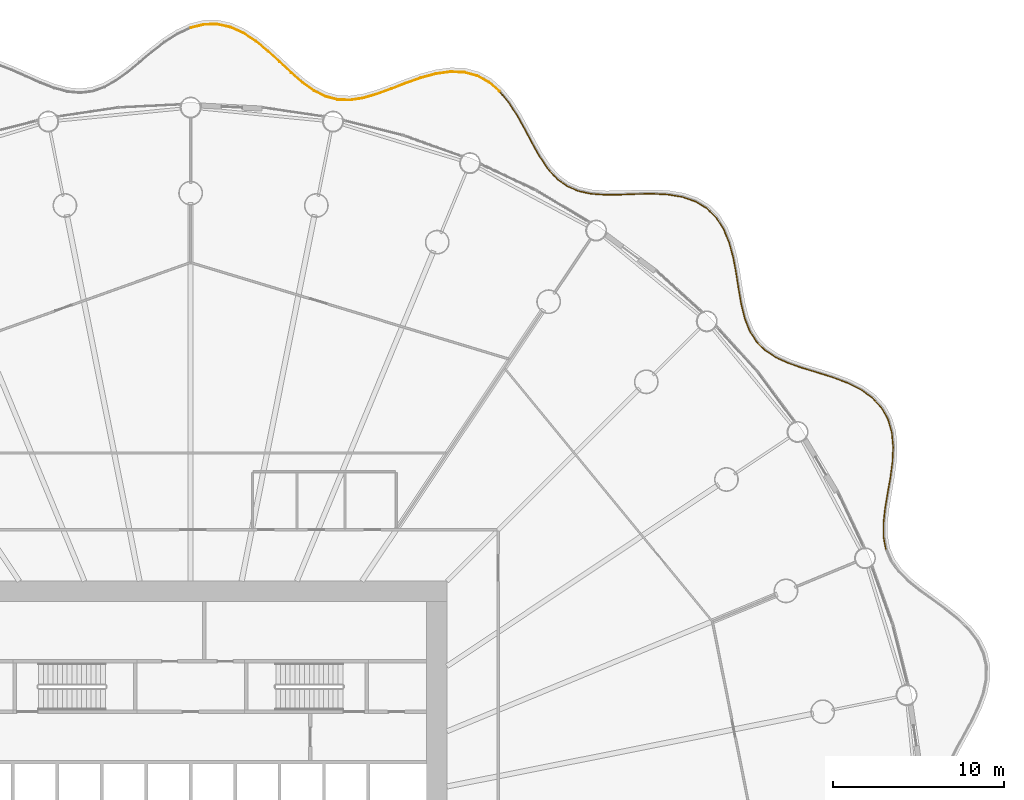
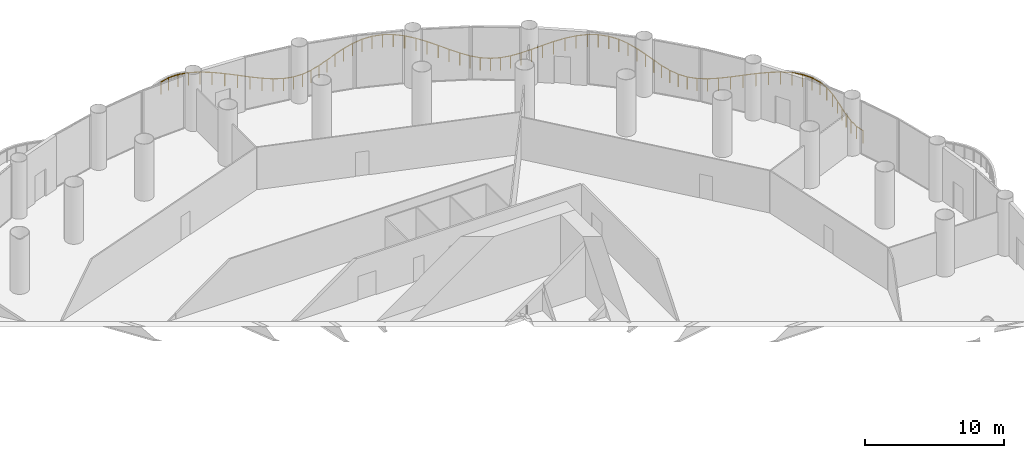
# One storey, part 36 of 36: 3 railings.
"""IFC4 building model written with IfcOpenShell, lengths in metres."""

from ifc_helpers import new_model, si_unit, direction, frame, origin, origin_2d, place, context, subcontext, project, spatial, circle, extrude, material, type_object, element, save


model = new_model("IFC4")

# Units and contexts
model_context = context("Model", 3, precision=1e-05, world=origin(), true_north=direction((0.0, 1.0)))
body_context = subcontext(model_context, "Body", "Model", "MODEL_VIEW")
ifc_project = project(units=[si_unit("LENGTHUNIT", "METRE"), si_unit("AREAUNIT", "SQUARE_METRE"), si_unit("VOLUMEUNIT", "CUBIC_METRE"), si_unit("PLANEANGLEUNIT", "RADIAN"), si_unit("MASSUNIT", "GRAM", prefix="KILO")], contexts=[model_context])

# Site, building, storey
site_placement = place(None, origin())
site = spatial("IfcSite", under=ifc_project, at=site_placement, CompositionType="ELEMENT")
building_placement = place(site_placement, origin())
building = spatial("IfcBuilding", under=site, at=building_placement, Name="Corvane Civic Tower", CompositionType="ELEMENT")
storey_placement = place(building_placement, frame((0.0, 0.0, 17.0)))
storey = spatial("IfcBuildingStorey", under=building, at=storey_placement, Name="L03", CompositionType="ELEMENT", Elevation=17.0)

# Railings
ifc_material = material(Name="Steel ASTM A572 Gr 50", Category="steel")
railing_type = type_object("IfcRailingType", Name="PODIUM-RL-GUARD-1100", PredefinedType="GUARDRAIL", material=ifc_material)
railing_1_placement = place(storey_placement, frame((40.66943359375, 16.87255859375, 0.0)))
element("IfcRailing", 1, at=railing_1_placement, inside=storey, type_object=railing_type, Name="L03 ribbon guard 14", PredefinedType="GUARDRAIL", context=body_context, shape_type="SweptSolid", body=[
    extrude(circle(Radius=0.02392578125, at=origin_2d()), frame((0.0, 0.0, 1.076171875), z_axis=(-0.184784369024, 0.982779088587, 0.0), x_axis=(-0.982779088587, -0.184784369024, 0.0)), (0.0, 0.0, 1.0), 0.71337890625),
    extrude(circle(Radius=0.02392578125, at=origin_2d()), frame((-0.1318359375, 0.701171875, 1.076171875), z_axis=(-0.009576329479, 0.999954145906, 0.0), x_axis=(-0.999954145906, -0.009576329479, 0.0)), (0.0, 0.0, 1.0), 0.790283203125),
    extrude(circle(Radius=0.02392578125, at=origin_2d()), frame((-0.139404296875, 1.491455078125, 1.076171875), z_axis=(0.107007929362, 0.994258167205, 0.0), x_axis=(-0.994258167205, 0.107007929362, 0.0)), (0.0, 0.0, 1.0), 0.853271484375),
    extrude(circle(Radius=0.02392578125, at=origin_2d()), frame((-0.048095703125, 2.33984375, 1.076171875), z_axis=(0.164923362683, 0.98630638467, 0.0), x_axis=(-0.98630638467, 0.164923362683, 0.0)), (0.0, 0.0, 1.0), 0.906005859375),
    extrude(circle(Radius=0.02392578125, at=origin_2d()), frame((0.101318359375, 3.2333984375, 1.076171875), z_axis=(0.17250097261, 0.985009347392, 0.0), x_axis=(-0.985009347392, 0.17250097261, 0.0)), (0.0, 0.0, 1.0), 0.9326171875),
    extrude(circle(Radius=0.02392578125, at=origin_2d()), frame((0.26220703125, 4.152099609375, 1.076171875), z_axis=(0.133834148505, 0.991003744036, 0.0), x_axis=(-0.991003744036, 0.133834148505, 0.0)), (0.0, 0.0, 1.0), 0.928466796875),
    extrude(circle(Radius=0.02392578125, at=origin_2d()), frame((0.386474609375, 5.072265625, 1.076171875), z_axis=(0.047668682951, 0.998863202178, 0.0), x_axis=(-0.998863202178, 0.047668682951, 0.0)), (0.0, 0.0, 1.0), 0.896240234375),
    extrude(circle(Radius=0.02392578125, at=origin_2d()), frame((0.42919921875, 5.967529296875, 1.076171875), z_axis=(-0.089574843607, 0.995980093874, 0.0), x_axis=(-0.995980093874, -0.089574843607, 0.0)), (0.0, 0.0, 1.0), 0.84765625),
    extrude(circle(Radius=0.02392578125, at=origin_2d()), frame((0.353271484375, 6.811767578125, 1.076171875), z_axis=(-0.275404329988, 0.961328484455, 0.0), x_axis=(-0.961328484455, -0.275404329988, 0.0)), (0.0, 0.0, 1.0), 0.80224609375),
    extrude(circle(Radius=0.02392578125, at=origin_2d()), frame((0.13232421875, 7.5830078125, 1.076171875), z_axis=(-0.485882298795, 0.874024251218, 0.0), x_axis=(-0.874024251218, -0.485882298795, 0.0)), (0.0, 0.0, 1.0), 0.779296875),
    extrude(circle(Radius=0.02392578125, at=origin_2d()), frame((-0.246337890625, 8.26416015625, 1.076171875), z_axis=(-0.676018384359, 0.73688475626, 0.0), x_axis=(-0.73688475626, -0.676018384359, 0.0)), (0.0, 0.0, 1.0), 0.790283203125),
    extrude(circle(Radius=0.02392578125, at=origin_2d()), frame((-0.780517578125, 8.846435546875, 1.076171875), z_axis=(-0.812498858808, 0.582962781347, 0.0), x_axis=(-0.582962781347, -0.812498858808, 0.0)), (0.0, 0.0, 1.0), 0.82958984375),
    extrude(circle(Radius=0.02392578125, at=origin_2d()), frame((-1.45458984375, 9.330078125, 1.076171875), z_axis=(-0.893704177194, 0.448656710266, 0.0), x_axis=(-0.448656710266, -0.893704177194, 0.0)), (0.0, 0.0, 1.0), 0.87939453125),
    extrude(circle(Radius=0.02392578125, at=origin_2d()), frame((-2.240478515625, 9.724609375, 1.076171875), z_axis=(-0.93572746823, 0.352723837017, 0.0), x_axis=(-0.352723837017, -0.93572746823, 0.0)), (0.0, 0.0, 1.0), 0.919189453125),
    extrude(circle(Radius=0.02392578125, at=origin_2d()), frame((-3.1005859375, 10.048828125, 1.076171875), z_axis=(-0.954098219534, 0.299493885551, 0.0), x_axis=(-0.299493885551, -0.954098219534, 0.0)), (0.0, 0.0, 1.0), 0.93505859375),
    extrude(circle(Radius=0.02392578125, at=origin_2d()), frame((-3.99267578125, 10.328857421875, 1.076171875), z_axis=(-0.957010999793, 0.290051626915, 0.0), x_axis=(-0.290051626915, -0.957010999793, 0.0)), (0.0, 0.0, 1.0), 0.919189453125),
    extrude(circle(Radius=0.02392578125, at=origin_2d()), frame((-4.872314453125, 10.595458984375, 1.076171875), z_axis=(-0.944936308827, 0.32725429296, 0.0), x_axis=(-0.32725429296, -0.944936308827, 0.0)), (0.0, 0.0, 1.0), 0.875),
    extrude(circle(Radius=0.02392578125, at=origin_2d()), frame((-5.69921875, 10.8818359375, 1.076171875), z_axis=(-0.909934316687, 0.414752383134, 0.0), x_axis=(-0.414752383134, -0.909934316687, 0.0)), (0.0, 0.0, 1.0), 0.8134765625),
    extrude(circle(Radius=0.02392578125, at=origin_2d()), frame((-6.439453125, 11.21923828125, 1.076171875), z_axis=(-0.834826447592, 0.550513217281, 0.0), x_axis=(-0.550513217281, -0.834826447592, 0.0)), (0.0, 0.0, 1.0), 0.7548828125),
    extrude(circle(Radius=0.02392578125, at=origin_2d()), frame((-7.069580078125, 11.634765625, 1.076171875), z_axis=(-0.704058219448, 0.710142255909, 0.0), x_axis=(-0.710142255909, -0.704058219448, 0.0)), (0.0, 0.0, 1.0), 0.722412109375),
    extrude(circle(Radius=0.02392578125, at=origin_2d()), frame((-7.578125, 12.147705078125, 1.076171875), z_axis=(-0.531378363688, 0.847134602412, 0.0), x_axis=(-0.847134602412, -0.531378363688, 0.0)), (0.0, 0.0, 1.0), 0.7314453125),
    extrude(circle(Radius=0.02392578125, at=origin_2d()), frame((-7.966796875, 12.767333984375, 1.076171875), z_axis=(-0.364127112488, 0.931349260993, 0.0), x_axis=(-0.931349260993, -0.364127112488, 0.0)), (0.0, 0.0, 1.0), 0.77783203125),
    extrude(circle(Radius=0.02392578125, at=origin_2d()), frame((-8.25, 13.49169921875, 1.076171875), z_axis=(-0.240552729044, 0.970636072145, 0.0), x_axis=(-0.970636072145, -0.240552729044, 0.0)), (0.0, 0.0, 1.0), 0.84033203125),
    extrude(circle(Radius=0.02392578125, at=origin_2d()), frame((-8.4521484375, 14.307373046875, 1.076171875), z_axis=(-0.17197945119, 0.985100537188, 0.0), x_axis=(-0.985100537188, -0.17197945119, 0.0)), (0.0, 0.0, 1.0), 0.87158203125),
    extrude(circle(Radius=0.02099609375, at=origin_2d()), origin(), (0.0, 0.0, 1.0), 1.052001953125),
    extrude(circle(Radius=0.02099609375, at=origin_2d()), frame((-0.1318359375, 0.701171875, 0.0)), (0.0, 0.0, 1.0), 1.052001953125),
    extrude(circle(Radius=0.02099609375, at=origin_2d()), frame((-0.139404296875, 1.491455078125, 0.0)), (0.0, 0.0, 1.0), 1.052001953125),
    extrude(circle(Radius=0.02099609375, at=origin_2d()), frame((-0.048095703125, 2.33984375, 0.0)), (0.0, 0.0, 1.0), 1.052001953125),
    extrude(circle(Radius=0.02099609375, at=origin_2d()), frame((0.101318359375, 3.2333984375, 0.0)), (0.0, 0.0, 1.0), 1.052001953125),
    extrude(circle(Radius=0.02099609375, at=origin_2d()), frame((0.26220703125, 4.152099609375, 0.0)), (0.0, 0.0, 1.0), 1.052001953125),
    extrude(circle(Radius=0.02099609375, at=origin_2d()), frame((0.386474609375, 5.072265625, 0.0)), (0.0, 0.0, 1.0), 1.052001953125),
    extrude(circle(Radius=0.02099609375, at=origin_2d()), frame((0.42919921875, 5.967529296875, 0.0)), (0.0, 0.0, 1.0), 1.052001953125),
    extrude(circle(Radius=0.02099609375, at=origin_2d()), frame((0.353271484375, 6.811767578125, 0.0)), (0.0, 0.0, 1.0), 1.052001953125),
    extrude(circle(Radius=0.02099609375, at=origin_2d()), frame((0.13232421875, 7.5830078125, 0.0)), (0.0, 0.0, 1.0), 1.052001953125),
    extrude(circle(Radius=0.02099609375, at=origin_2d()), frame((-0.246337890625, 8.26416015625, 0.0)), (0.0, 0.0, 1.0), 1.052001953125),
    extrude(circle(Radius=0.02099609375, at=origin_2d()), frame((-0.780517578125, 8.846435546875, 0.0)), (0.0, 0.0, 1.0), 1.052001953125),
    extrude(circle(Radius=0.02099609375, at=origin_2d()), frame((-1.45458984375, 9.330078125, 0.0)), (0.0, 0.0, 1.0), 1.052001953125),
    extrude(circle(Radius=0.02099609375, at=origin_2d()), frame((-2.240478515625, 9.724609375, 0.0)), (0.0, 0.0, 1.0), 1.052001953125),
    extrude(circle(Radius=0.02099609375, at=origin_2d()), frame((-3.1005859375, 10.048828125, 0.0)), (0.0, 0.0, 1.0), 1.052001953125),
    extrude(circle(Radius=0.02099609375, at=origin_2d()), frame((-3.99267578125, 10.328857421875, 0.0)), (0.0, 0.0, 1.0), 1.052001953125),
    extrude(circle(Radius=0.02099609375, at=origin_2d()), frame((-4.872314453125, 10.595458984375, 0.0)), (0.0, 0.0, 1.0), 1.052001953125),
    extrude(circle(Radius=0.02099609375, at=origin_2d()), frame((-5.69921875, 10.8818359375, 0.0)), (0.0, 0.0, 1.0), 1.052001953125),
    extrude(circle(Radius=0.02099609375, at=origin_2d()), frame((-6.439453125, 11.21923828125, 0.0)), (0.0, 0.0, 1.0), 1.052001953125),
    extrude(circle(Radius=0.02099609375, at=origin_2d()), frame((-7.069580078125, 11.634765625, 0.0)), (0.0, 0.0, 1.0), 1.052001953125),
    extrude(circle(Radius=0.02099609375, at=origin_2d()), frame((-7.578125, 12.147705078125, 0.0)), (0.0, 0.0, 1.0), 1.052001953125),
    extrude(circle(Radius=0.02099609375, at=origin_2d()), frame((-7.966796875, 12.767333984375, 0.0)), (0.0, 0.0, 1.0), 1.052001953125),
    extrude(circle(Radius=0.02099609375, at=origin_2d()), frame((-8.25, 13.49169921875, 0.0)), (0.0, 0.0, 1.0), 1.052001953125),
    extrude(circle(Radius=0.02099609375, at=origin_2d()), frame((-8.4521484375, 14.307373046875, 0.0)), (0.0, 0.0, 1.0), 1.052001953125),
    extrude(circle(Radius=0.02099609375, at=origin_2d()), frame((-8.60205078125, 15.166015625, 0.0)), (0.0, 0.0, 1.0), 1.052001953125),
])
railing_2_placement = place(storey_placement, frame((32.059326171875, 32.087890625, 0.0)))
element("IfcRailing", 2, at=railing_2_placement, inside=storey, type_object=railing_type, Name="L03 ribbon guard 15", PredefinedType="GUARDRAIL", context=body_context, shape_type="SweptSolid", body=[
    extrude(circle(Radius=0.02392578125, at=origin_2d()), frame((0.0, 0.0, 1.076171875), z_axis=(-0.154368647658, 0.988013320062, 0.0), x_axis=(-0.988013320062, -0.154368647658, 0.0)), (0.0, 0.0, 1.0), 0.904541015625),
    extrude(circle(Radius=0.02392578125, at=origin_2d()), frame((-0.1396484375, 0.893798828125, 1.076171875), z_axis=(-0.183355365937, 0.983046697661, 0.0), x_axis=(-0.983046697661, -0.183355365937, 0.0)), (0.0, 0.0, 1.0), 0.93212890625),
    extrude(circle(Radius=0.02392578125, at=origin_2d()), frame((-0.310546875, 1.81005859375, 1.076171875), z_axis=(-0.257746640802, 0.966212538293, 0.0), x_axis=(-0.966212538293, -0.257746640802, 0.0)), (0.0, 0.0, 1.0), 0.904541015625),
    extrude(circle(Radius=0.02392578125, at=origin_2d()), frame((-0.543701171875, 2.68408203125, 1.076171875), z_axis=(-0.377558768502, 0.925985624255, 0.0), x_axis=(-0.925985624255, -0.377558768502, 0.0)), (0.0, 0.0, 1.0), 0.858642578125),
    extrude(circle(Radius=0.02392578125, at=origin_2d()), frame((-0.867919921875, 3.479248046875, 1.076171875), z_axis=(-0.536212591881, 0.844082967669, 0.0), x_axis=(-0.844082967669, -0.536212591881, 0.0)), (0.0, 0.0, 1.0), 0.810546875),
    extrude(circle(Radius=0.02392578125, at=origin_2d()), frame((-1.302490234375, 4.163330078125, 1.076171875), z_axis=(-0.708979075242, 0.705229516448, 0.0), x_axis=(-0.705229516448, -0.708979075242, 0.0)), (0.0, 0.0, 1.0), 0.78125),
    extrude(circle(Radius=0.02392578125, at=origin_2d()), frame((-1.8564453125, 4.71435546875, 1.076171875), z_axis=(-0.854654494149, 0.519197164506, 0.0), x_axis=(-0.519197164506, -0.854654494149, 0.0)), (0.0, 0.0, 1.0), 0.785400390625),
    extrude(circle(Radius=0.02392578125, at=origin_2d()), frame((-2.527587890625, 5.1220703125, 1.076171875), z_axis=(-0.945632221088, 0.32523791667, 0.0), x_axis=(-0.32523791667, -0.945632221088, 0.0)), (0.0, 0.0, 1.0), 0.81982421875),
    extrude(circle(Radius=0.02392578125, at=origin_2d()), frame((-3.302734375, 5.388671875, 1.076171875), z_axis=(-0.986725999475, 0.16239397144, 0.0), x_axis=(-0.16239397144, -0.986725999475, 0.0)), (0.0, 0.0, 1.0), 0.868896484375),
    extrude(circle(Radius=0.02392578125, at=origin_2d()), frame((-4.16015625, 5.52978515625, 1.076171875), z_axis=(-0.998865715566, 0.047615987512, 0.0), x_axis=(-0.047615987512, -0.998865715566, 0.0)), (0.0, 0.0, 1.0), 0.91259765625),
    extrude(circle(Radius=0.02392578125, at=origin_2d()), frame((-5.07177734375, 5.5732421875, 1.076171875), z_axis=(-0.999827768885, -0.018558894534, 0.0), x_axis=(0.018558894534, -0.999827768885, 0.0)), (0.0, 0.0, 1.0), 0.93408203125),
    extrude(circle(Radius=0.02392578125, at=origin_2d()), frame((-6.005615234375, 5.555908203125, 1.076171875), z_axis=(-0.999277839493, -0.037997361734, 0.0), x_axis=(0.037997361734, -0.999277839493, 0.0)), (0.0, 0.0, 1.0), 0.92529296875),
    extrude(circle(Radius=0.02392578125, at=origin_2d()), frame((-6.93017578125, 5.520751953125, 1.076171875), z_axis=(-0.999950826658, -0.009916867702, 0.0), x_axis=(0.009916867702, -0.999950826658, 0.0)), (0.0, 0.0, 1.0), 0.88623046875),
    extrude(circle(Radius=0.02392578125, at=origin_2d()), frame((-7.81640625, 5.511962890625, 1.076171875), z_axis=(-0.997401426671, 0.072044389612, 0.0), x_axis=(-0.072044389612, -0.997401426671, 0.0)), (0.0, 0.0, 1.0), 0.826904296875),
    extrude(circle(Radius=0.02392578125, at=origin_2d()), frame((-8.64111328125, 5.571533203125, 1.076171875), z_axis=(-0.97699765227, 0.213250058522, 0.0), x_axis=(-0.213250058522, -0.97699765227, 0.0)), (0.0, 0.0, 1.0), 0.765869140625),
    extrude(circle(Radius=0.02392578125, at=origin_2d()), frame((-9.389404296875, 5.73486328125, 1.076171875), z_axis=(-0.916126457216, 0.400889404186, 0.0), x_axis=(-0.400889404186, -0.916126457216, 0.0)), (0.0, 0.0, 1.0), 0.725830078125),
    extrude(circle(Radius=0.02392578125, at=origin_2d()), frame((-10.054443359375, 6.02587890625, 1.076171875), z_axis=(-0.8052164335, 0.592981024336, 0.0), x_axis=(-0.592981024336, -0.8052164335, 0.0)), (0.0, 0.0, 1.0), 0.725830078125),
    extrude(circle(Radius=0.02392578125, at=origin_2d()), frame((-10.638916015625, 6.456298828125, 1.076171875), z_axis=(-0.673164679365, 0.739492606086, 0.0), x_axis=(-0.739492606086, -0.673164679365, 0.0)), (0.0, 0.0, 1.0), 0.765625),
    extrude(circle(Radius=0.02392578125, at=origin_2d()), frame((-11.154296875, 7.0224609375, 1.076171875), z_axis=(-0.561154876158, 0.827710822065, 0.0), x_axis=(-0.827710822065, -0.561154876158, 0.0)), (0.0, 0.0, 1.0), 0.8271484375),
    extrude(circle(Radius=0.02392578125, at=origin_2d()), frame((-11.618408203125, 7.70703125, 1.076171875), z_axis=(-0.491385477891, 0.87094219792, 0.0), x_axis=(-0.87094219792, -0.491385477891, 0.0)), (0.0, 0.0, 1.0), 0.886474609375),
    extrude(circle(Radius=0.02392578125, at=origin_2d()), frame((-12.053955078125, 8.47900390625, 1.076171875), z_axis=(-0.466638195595, 0.884448299457, 0.0), x_axis=(-0.884448299457, -0.466638195595, 0.0)), (0.0, 0.0, 1.0), 0.925048828125),
    extrude(circle(Radius=0.02392578125, at=origin_2d()), frame((-12.485595703125, 9.297119140625, 1.076171875), z_axis=(-0.483733525846, 0.875215331203, 0.0), x_axis=(-0.875215331203, -0.483733525846, 0.0)), (0.0, 0.0, 1.0), 0.93408203125),
    extrude(circle(Radius=0.02392578125, at=origin_2d()), frame((-12.9375, 10.11474609375, 1.076171875), z_axis=(-0.540730545669, 0.841195861248, 0.0), x_axis=(-0.841195861248, -0.540730545669, 0.0)), (0.0, 0.0, 1.0), 0.91259765625),
    extrude(circle(Radius=0.02392578125, at=origin_2d()), frame((-13.430908203125, 10.88232421875, 1.076171875), z_axis=(-0.634134915588, 0.773222418733, 0.0), x_axis=(-0.773222418733, -0.634134915588, 0.0)), (0.0, 0.0, 1.0), 0.84423828125),
    extrude(circle(Radius=0.02099609375, at=origin_2d()), origin(), (0.0, 0.0, 1.0), 1.052001953125),
    extrude(circle(Radius=0.02099609375, at=origin_2d()), frame((-0.1396484375, 0.893798828125, 0.0)), (0.0, 0.0, 1.0), 1.052001953125),
    extrude(circle(Radius=0.02099609375, at=origin_2d()), frame((-0.310546875, 1.81005859375, 0.0)), (0.0, 0.0, 1.0), 1.052001953125),
    extrude(circle(Radius=0.02099609375, at=origin_2d()), frame((-0.543701171875, 2.68408203125, 0.0)), (0.0, 0.0, 1.0), 1.052001953125),
    extrude(circle(Radius=0.02099609375, at=origin_2d()), frame((-0.867919921875, 3.479248046875, 0.0)), (0.0, 0.0, 1.0), 1.052001953125),
    extrude(circle(Radius=0.02099609375, at=origin_2d()), frame((-1.302490234375, 4.163330078125, 0.0)), (0.0, 0.0, 1.0), 1.052001953125),
    extrude(circle(Radius=0.02099609375, at=origin_2d()), frame((-1.8564453125, 4.71435546875, 0.0)), (0.0, 0.0, 1.0), 1.052001953125),
    extrude(circle(Radius=0.02099609375, at=origin_2d()), frame((-2.527587890625, 5.1220703125, 0.0)), (0.0, 0.0, 1.0), 1.052001953125),
    extrude(circle(Radius=0.02099609375, at=origin_2d()), frame((-3.302734375, 5.388671875, 0.0)), (0.0, 0.0, 1.0), 1.052001953125),
    extrude(circle(Radius=0.02099609375, at=origin_2d()), frame((-4.16015625, 5.52978515625, 0.0)), (0.0, 0.0, 1.0), 1.052001953125),
    extrude(circle(Radius=0.02099609375, at=origin_2d()), frame((-5.07177734375, 5.5732421875, 0.0)), (0.0, 0.0, 1.0), 1.052001953125),
    extrude(circle(Radius=0.02099609375, at=origin_2d()), frame((-6.005615234375, 5.555908203125, 0.0)), (0.0, 0.0, 1.0), 1.052001953125),
    extrude(circle(Radius=0.02099609375, at=origin_2d()), frame((-6.93017578125, 5.520751953125, 0.0)), (0.0, 0.0, 1.0), 1.052001953125),
    extrude(circle(Radius=0.02099609375, at=origin_2d()), frame((-7.81640625, 5.511962890625, 0.0)), (0.0, 0.0, 1.0), 1.052001953125),
    extrude(circle(Radius=0.02099609375, at=origin_2d()), frame((-8.64111328125, 5.571533203125, 0.0)), (0.0, 0.0, 1.0), 1.052001953125),
    extrude(circle(Radius=0.02099609375, at=origin_2d()), frame((-9.389404296875, 5.73486328125, 0.0)), (0.0, 0.0, 1.0), 1.052001953125),
    extrude(circle(Radius=0.02099609375, at=origin_2d()), frame((-10.054443359375, 6.02587890625, 0.0)), (0.0, 0.0, 1.0), 1.052001953125),
    extrude(circle(Radius=0.02099609375, at=origin_2d()), frame((-10.638916015625, 6.456298828125, 0.0)), (0.0, 0.0, 1.0), 1.052001953125),
    extrude(circle(Radius=0.02099609375, at=origin_2d()), frame((-11.154296875, 7.0224609375, 0.0)), (0.0, 0.0, 1.0), 1.052001953125),
    extrude(circle(Radius=0.02099609375, at=origin_2d()), frame((-11.618408203125, 7.70703125, 0.0)), (0.0, 0.0, 1.0), 1.052001953125),
    extrude(circle(Radius=0.02099609375, at=origin_2d()), frame((-12.053955078125, 8.47900390625, 0.0)), (0.0, 0.0, 1.0), 1.052001953125),
    extrude(circle(Radius=0.02099609375, at=origin_2d()), frame((-12.485595703125, 9.297119140625, 0.0)), (0.0, 0.0, 1.0), 1.052001953125),
    extrude(circle(Radius=0.02099609375, at=origin_2d()), frame((-12.9375, 10.11474609375, 0.0)), (0.0, 0.0, 1.0), 1.052001953125),
    extrude(circle(Radius=0.02099609375, at=origin_2d()), frame((-13.430908203125, 10.88232421875, 0.0)), (0.0, 0.0, 1.0), 1.052001953125),
    extrude(circle(Radius=0.02099609375, at=origin_2d()), frame((-13.96630859375, 11.53515625, 0.0)), (0.0, 0.0, 1.0), 1.052001953125),
])
railing_3_placement = place(storey_placement, frame((18.058349609375, 43.65869140625, 0.0)))
element("IfcRailing", 3, at=railing_3_placement, inside=storey, type_object=railing_type, Name="L03 ribbon guard 16", PredefinedType="GUARDRAIL", context=body_context, shape_type="SweptSolid", body=[
    extrude(circle(Radius=0.02392578125, at=origin_2d()), frame((0.0, 0.0, 1.076171875), z_axis=(-0.754552606339, 0.656239563168, 0.0), x_axis=(-0.656239563168, -0.754552606339, 0.0)), (0.0, 0.0, 1.0), 0.794677734375),
    extrude(circle(Radius=0.02392578125, at=origin_2d()), frame((-0.599609375, 0.521484375, 1.076171875), z_axis=(-0.876871606406, 0.480724646632, 0.0), x_axis=(-0.480724646632, -0.876871606406, 0.0)), (0.0, 0.0, 1.0), 0.78515625),
    extrude(circle(Radius=0.02392578125, at=origin_2d()), frame((-1.2880859375, 0.89892578125, 1.076171875), z_axis=(-0.9652739935, 0.261239578688, 0.0), x_axis=(-0.261239578688, -0.9652739935, 0.0)), (0.0, 0.0, 1.0), 0.78125),
    extrude(circle(Radius=0.02392578125, at=origin_2d()), frame((-2.042236328125, 1.10302734375, 1.076171875), z_axis=(-0.99909774518, 0.042469937314, 0.0), x_axis=(-0.042469937314, -0.99909774518, 0.0)), (0.0, 0.0, 1.0), 0.810546875),
    extrude(circle(Radius=0.02392578125, at=origin_2d()), frame((-2.85205078125, 1.137451171875, 1.076171875), z_axis=(-0.990719089556, -0.135925294147, 0.0), x_axis=(0.135925294147, -0.990719089556, 0.0)), (0.0, 0.0, 1.0), 0.858642578125),
    extrude(circle(Radius=0.02392578125, at=origin_2d()), frame((-3.70263671875, 1.020751953125, 1.076171875), z_axis=(-0.965587098839, -0.26007990033, 0.0), x_axis=(0.26007990033, -0.965587098839, 0.0)), (0.0, 0.0, 1.0), 0.905029296875),
    extrude(circle(Radius=0.02392578125, at=origin_2d()), frame((-4.576416015625, 0.785400390625, 1.076171875), z_axis=(-0.943009681152, -0.332765294544, 0.0), x_axis=(0.332765294544, -0.943009681152, 0.0)), (0.0, 0.0, 1.0), 0.931884765625),
    extrude(circle(Radius=0.02392578125, at=origin_2d()), frame((-5.455078125, 0.475341796875, 1.076171875), z_axis=(-0.932864318384, -0.360227932683, 0.0), x_axis=(0.360227932683, -0.932864318384, 0.0)), (0.0, 0.0, 1.0), 0.929931640625),
    extrude(circle(Radius=0.02392578125, at=origin_2d()), frame((-6.322509765625, 0.140380859375, 1.076171875), z_axis=(-0.939107851314, -0.343622530693, 0.0), x_axis=(0.343622530693, -0.939107851314, 0.0)), (0.0, 0.0, 1.0), 0.896728515625),
    extrude(circle(Radius=0.02392578125, at=origin_2d()), frame((-7.16455078125, -0.167724609375, 1.076171875), z_axis=(-0.96089647184, -0.2769078735, 0.0), x_axis=(0.2769078735, -0.96089647184, 0.0)), (0.0, 0.0, 1.0), 0.84033203125),
    extrude(circle(Radius=0.02392578125, at=origin_2d()), frame((-7.971923828125, -0.400390625, 1.076171875), z_axis=(-0.988581250341, -0.150688790144, 0.0), x_axis=(0.150688790144, -0.988581250341, 0.0)), (0.0, 0.0, 1.0), 0.777587890625),
    extrude(circle(Radius=0.02392578125, at=origin_2d()), frame((-8.74072265625, -0.517578125, 1.076171875), z_axis=(-0.999313461415, 0.037048695463, 0.0), x_axis=(-0.037048695463, -0.999313461415, 0.0)), (0.0, 0.0, 1.0), 0.7314453125),
    extrude(circle(Radius=0.02392578125, at=origin_2d()), frame((-9.4716796875, -0.490478515625, 1.076171875), z_axis=(-0.967065779781, 0.254526575384, 0.0), x_axis=(-0.254526575384, -0.967065779781, 0.0)), (0.0, 0.0, 1.0), 0.72216796875),
    extrude(circle(Radius=0.02392578125, at=origin_2d()), frame((-10.170166015625, -0.306640625, 1.076171875), z_axis=(-0.894233059846, 0.447601647315, 0.0), x_axis=(-0.447601647315, -0.894233059846, 0.0)), (0.0, 0.0, 1.0), 0.7548828125),
    extrude(circle(Radius=0.02392578125, at=origin_2d()), frame((-10.84521484375, 0.03125, 1.076171875), z_axis=(-0.814138797506, 0.580670318162, 0.0), x_axis=(-0.580670318162, -0.814138797506, 0.0)), (0.0, 0.0, 1.0), 0.8134765625),
    extrude(circle(Radius=0.02392578125, at=origin_2d()), frame((-11.507568359375, 0.503662109375, 1.076171875), z_axis=(-0.755937620753, 0.654643653853, 0.0), x_axis=(-0.654643653853, -0.755937620753, 0.0)), (0.0, 0.0, 1.0), 0.875),
    extrude(circle(Radius=0.02392578125, at=origin_2d()), frame((-12.1689453125, 1.076416015625, 1.076171875), z_axis=(-0.729578615129, 0.68389695448, 0.0), x_axis=(-0.68389695448, -0.729578615129, 0.0)), (0.0, 0.0, 1.0), 0.919189453125),
    extrude(circle(Radius=0.02392578125, at=origin_2d()), frame((-12.839599609375, 1.705078125, 1.076171875), z_axis=(-0.736503334058, 0.676433913195, 0.0), x_axis=(-0.676433913195, -0.736503334058, 0.0)), (0.0, 0.0, 1.0), 0.934814453125),
    extrude(circle(Radius=0.02392578125, at=origin_2d()), frame((-13.528076171875, 2.33740234375, 1.076171875), z_axis=(-0.77324695858, 0.634104992132, 0.0), x_axis=(-0.634104992132, -0.77324695858, 0.0)), (0.0, 0.0, 1.0), 0.91943359375),
    extrude(circle(Radius=0.02392578125, at=origin_2d()), frame((-14.239013671875, 2.92041015625, 1.076171875), z_axis=(-0.835494240479, 0.549499203027, 0.0), x_axis=(-0.549499203027, -0.835494240479, 0.0)), (0.0, 0.0, 1.0), 0.879150390625),
    extrude(circle(Radius=0.02392578125, at=origin_2d()), frame((-14.9736328125, 3.403564453125, 1.076171875), z_axis=(-0.91106055663, 0.412272558088, 0.0), x_axis=(-0.412272558088, -0.91106055663, 0.0)), (0.0, 0.0, 1.0), 0.82958984375),
    extrude(circle(Radius=0.02392578125, at=origin_2d()), frame((-15.7294921875, 3.74560546875, 1.076171875), z_axis=(-0.976136155054, 0.217159404115, 0.0), x_axis=(-0.217159404115, -0.976136155054, 0.0)), (0.0, 0.0, 1.0), 0.790283203125),
    extrude(circle(Radius=0.02392578125, at=origin_2d()), frame((-16.5009765625, 3.917236328125, 1.076171875), z_axis=(-0.999862095547, -0.016606922928, 0.0), x_axis=(0.016606922928, -0.999862095547, 0.0)), (0.0, 0.0, 1.0), 0.779052734375),
    extrude(circle(Radius=0.02392578125, at=origin_2d()), frame((-17.280029296875, 3.904296875, 1.076171875), z_axis=(-0.970290184858, -0.241944119929, 0.0), x_axis=(0.241944119929, -0.970290184858, 0.0)), (0.0, 0.0, 1.0), 0.777099609375),
    extrude(circle(Radius=0.02099609375, at=origin_2d()), origin(), (0.0, 0.0, 1.0), 1.052001953125),
    extrude(circle(Radius=0.02099609375, at=origin_2d()), frame((-0.599609375, 0.521484375, 0.0)), (0.0, 0.0, 1.0), 1.052001953125),
    extrude(circle(Radius=0.02099609375, at=origin_2d()), frame((-1.2880859375, 0.89892578125, 0.0)), (0.0, 0.0, 1.0), 1.052001953125),
    extrude(circle(Radius=0.02099609375, at=origin_2d()), frame((-2.042236328125, 1.10302734375, 0.0)), (0.0, 0.0, 1.0), 1.052001953125),
    extrude(circle(Radius=0.02099609375, at=origin_2d()), frame((-2.85205078125, 1.137451171875, 0.0)), (0.0, 0.0, 1.0), 1.052001953125),
    extrude(circle(Radius=0.02099609375, at=origin_2d()), frame((-3.70263671875, 1.020751953125, 0.0)), (0.0, 0.0, 1.0), 1.052001953125),
    extrude(circle(Radius=0.02099609375, at=origin_2d()), frame((-4.576416015625, 0.785400390625, 0.0)), (0.0, 0.0, 1.0), 1.052001953125),
    extrude(circle(Radius=0.02099609375, at=origin_2d()), frame((-5.455078125, 0.475341796875, 0.0)), (0.0, 0.0, 1.0), 1.052001953125),
    extrude(circle(Radius=0.02099609375, at=origin_2d()), frame((-6.322509765625, 0.140380859375, 0.0)), (0.0, 0.0, 1.0), 1.052001953125),
    extrude(circle(Radius=0.02099609375, at=origin_2d()), frame((-7.16455078125, -0.167724609375, 0.0)), (0.0, 0.0, 1.0), 1.052001953125),
    extrude(circle(Radius=0.02099609375, at=origin_2d()), frame((-7.971923828125, -0.400390625, 0.0)), (0.0, 0.0, 1.0), 1.052001953125),
    extrude(circle(Radius=0.02099609375, at=origin_2d()), frame((-8.74072265625, -0.517578125, 0.0)), (0.0, 0.0, 1.0), 1.052001953125),
    extrude(circle(Radius=0.02099609375, at=origin_2d()), frame((-9.4716796875, -0.490478515625, 0.0)), (0.0, 0.0, 1.0), 1.052001953125),
    extrude(circle(Radius=0.02099609375, at=origin_2d()), frame((-10.170166015625, -0.306640625, 0.0)), (0.0, 0.0, 1.0), 1.052001953125),
    extrude(circle(Radius=0.02099609375, at=origin_2d()), frame((-10.84521484375, 0.03125, 0.0)), (0.0, 0.0, 1.0), 1.052001953125),
    extrude(circle(Radius=0.02099609375, at=origin_2d()), frame((-11.507568359375, 0.503662109375, 0.0)), (0.0, 0.0, 1.0), 1.052001953125),
    extrude(circle(Radius=0.02099609375, at=origin_2d()), frame((-12.1689453125, 1.076416015625, 0.0)), (0.0, 0.0, 1.0), 1.052001953125),
    extrude(circle(Radius=0.02099609375, at=origin_2d()), frame((-12.839599609375, 1.705078125, 0.0)), (0.0, 0.0, 1.0), 1.052001953125),
    extrude(circle(Radius=0.02099609375, at=origin_2d()), frame((-13.528076171875, 2.33740234375, 0.0)), (0.0, 0.0, 1.0), 1.052001953125),
    extrude(circle(Radius=0.02099609375, at=origin_2d()), frame((-14.239013671875, 2.92041015625, 0.0)), (0.0, 0.0, 1.0), 1.052001953125),
    extrude(circle(Radius=0.02099609375, at=origin_2d()), frame((-14.9736328125, 3.403564453125, 0.0)), (0.0, 0.0, 1.0), 1.052001953125),
    extrude(circle(Radius=0.02099609375, at=origin_2d()), frame((-15.7294921875, 3.74560546875, 0.0)), (0.0, 0.0, 1.0), 1.052001953125),
    extrude(circle(Radius=0.02099609375, at=origin_2d()), frame((-16.5009765625, 3.917236328125, 0.0)), (0.0, 0.0, 1.0), 1.052001953125),
    extrude(circle(Radius=0.02099609375, at=origin_2d()), frame((-17.280029296875, 3.904296875, 0.0)), (0.0, 0.0, 1.0), 1.052001953125),
    extrude(circle(Radius=0.02099609375, at=origin_2d()), frame((-18.033935546875, 3.71630859375, 0.0)), (0.0, 0.0, 1.0), 1.052001953125),
])

save(model, "model.ifc")
